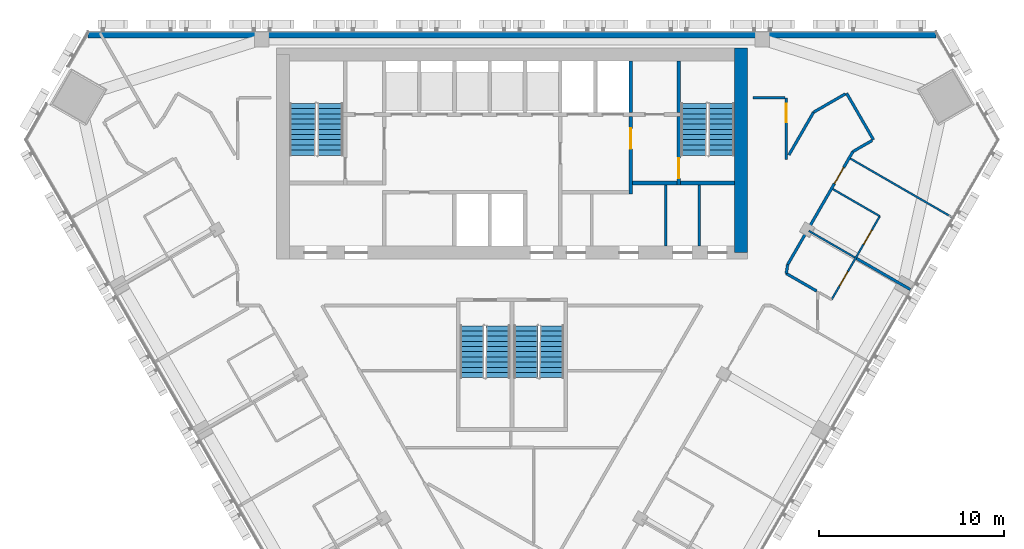
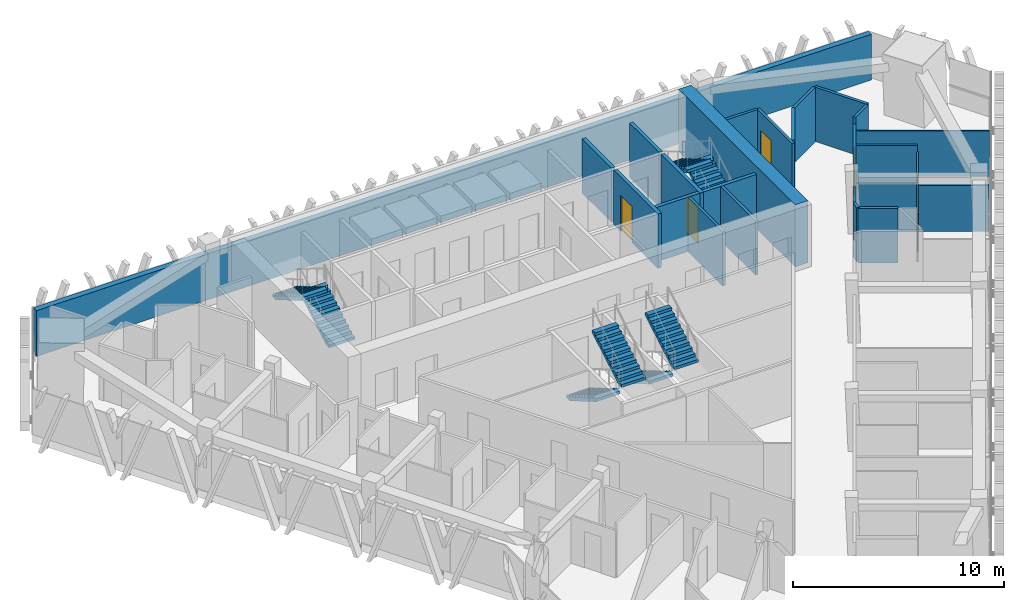
# One storey, part 12 of 16: 24 walls, 8 stair flights, 6 doors, 6 openings, 4 elements without a shape of their own.
"""IFC4 building model written with IfcOpenShell, lengths in metres."""

from ifc_helpers import new_model, si_unit, direction, frame, frame_2d, origin, place, context, subcontext, project, spatial, polyline, rectangle, outline, extrude, material, layer, layer_set, type_object, element, fill, aggregate, save


model = new_model("IFC4")

# Units and contexts
model_context = context("Model", 3, precision=1e-05, world=origin(), true_north=direction((0.0, 1.0)))
body_context = subcontext(model_context, "Body", "Model", "MODEL_VIEW")
ifc_project = project(units=[si_unit("LENGTHUNIT", "METRE"), si_unit("AREAUNIT", "SQUARE_METRE"), si_unit("VOLUMEUNIT", "CUBIC_METRE"), si_unit("PLANEANGLEUNIT", "RADIAN"), si_unit("MASSUNIT", "GRAM", prefix="KILO")], contexts=[model_context])

# Site, building, storey
site_placement = place(None, origin())
site = spatial("IfcSite", under=ifc_project, at=site_placement, CompositionType="ELEMENT")
building_placement = place(site_placement, origin())
building = spatial("IfcBuilding", under=site, at=building_placement, Name="Altiplano Prism Tower", CompositionType="ELEMENT")
storey_placement = place(building_placement, frame((0.0, 0.0, 178.199951171875)))
storey = spatial("IfcBuildingStorey", under=building, at=storey_placement, Name="L46", CompositionType="ELEMENT", Elevation=178.199951171875)

# Walls
ifc_material_1 = material(Name="Concrete C60/75", Category="concrete")
ifc_layer_1 = layer(ifc_material_1, 0.699951171875)
ifc_layer_set_1 = layer_set([ifc_layer_1], Name="Concrete C60/75")
wall_type_1 = type_object("IfcWallType", Name="Core wall 700", PredefinedType="SHEAR", material=ifc_layer_set_1)
wall_1_placement = place(storey_placement, frame((97.35009765625, 93.050048828125, 0.0), z_axis=(0.0, 0.0, 1.0), x_axis=(0.0, 1.0, 0.0)))
element("IfcWall", 1, at=wall_1_placement, inside=storey, type_object=wall_type_1, Name="Core wall E L46", PredefinedType="SHEAR", context=body_context, shape_type="SweptSolid", body=[
    extrude(rectangle(XDim=11.050048828125, YDim=0.699951171875, at=frame_2d((5.52490234375, 0.0))), origin(), (0.0, 0.0, 1.0), 3.60009765625),
])
ifc_material_2 = material(Name="Plasterboard on steel stud", Category="steel")
ifc_layer_2 = layer(ifc_material_2, 0.10009765625)
ifc_layer_set_2 = layer_set([ifc_layer_2], Name="Plasterboard on steel stud")
wall_type_2 = type_object("IfcWallType", Name="Partition 100 unit", PredefinedType="PARTITIONING", material=ifc_layer_set_2)
wall_2_placement = place(storey_placement, frame((102.312744140625, 96.474365234375, 0.0), z_axis=(0.0, 0.0, 1.0), x_axis=(0.866046596414, -0.499963291492, 0.0)))
element("IfcWall", 2, at=wall_2_placement, inside=storey, type_object=wall_type_2, Name="Partition P02 L46 086", PredefinedType="PARTITIONING", context=body_context, shape_type="SweptSolid", body=[
    extrude(rectangle(XDim=2.925048828125, YDim=0.10009765625, at=frame_2d((1.46240234375, 0.0))), origin(), (0.0, 0.0, 1.0), 3.150146484375),
])

# Wall, openings, doors
wall_3_placement = place(storey_placement, frame((104.845947265625, 95.011962890625, 0.0), z_axis=(0.0, 0.0, 1.0), x_axis=(-0.500006934395, -0.866021400173, 0.0)))
wall_3 = element("IfcWall", 3, at=wall_3_placement, inside=storey, type_object=wall_type_2, Name="Partition P02 L46 087", PredefinedType="PARTITIONING", context=body_context, shape_type="SweptSolid", body=[
    extrude(rectangle(XDim=5.2001953125, YDim=0.10009765625, at=frame_2d((2.60009765625, 0.0))), origin(), (0.0, 0.0, 1.0), 2.75),
])
opening_1_placement = place(wall_3_placement, frame((3.444091796875, 0.0, 0.0)))
opening_1 = element("IfcOpeningElement", 4, at=opening_1_placement, cuts=wall_3, Name="Opening D1642", PredefinedType="OPENING", context=body_context, shape_type="SweptSolid", body=[
    extrude(rectangle(XDim=0.89990234375, YDim=2.10009765625, at=frame_2d((0.449951171875, 1.050048828125))), frame((0.0, 0.060546875, 0.0), z_axis=(0.0, -1.0, 0.0), x_axis=(1.0, 0.0, 0.0)), (0.0, 0.0, 1.0), 0.12109375),
])
opening_2_placement = place(wall_3_placement, frame((0.85009765625, 0.0, 0.0)))
opening_2 = element("IfcOpeningElement", 5, at=opening_2_placement, cuts=wall_3, Name="Opening D1644", PredefinedType="OPENING", context=body_context, shape_type="SweptSolid", body=[
    extrude(rectangle(XDim=0.89990234375, YDim=2.10009765625, at=frame_2d((0.449951171875, 1.050048828125))), frame((0.0, 0.060546875, 0.0), z_axis=(0.0, -1.0, 0.0), x_axis=(1.0, 0.0, 0.0)), (0.0, 0.0, 1.0), 0.12109375),
])
ifc_material_3 = material(Name="Timber", Category="wood")
door_type_1 = type_object("IfcDoorType", Name="Ensuite door 900 x 2100", OperationType="NOTDEFINED", PredefinedType="NOTDEFINED", material=ifc_material_3)
door_1_placement = place(opening_1_placement, origin())
door_1 = element("IfcDoor", 6, at=door_1_placement, inside=storey, type_object=door_type_1, Name="Door D1642", OperationType="SINGLE_SWING_LEFT", OverallHeight=2.10009765625, OverallWidth=0.89990234375, PredefinedType="NOTDEFINED", context=body_context, shape_type="SweptSolid", body=[
    extrude(rectangle(XDim=0.89990234375, YDim=2.10009765625, at=frame_2d((0.449951171875, 1.050048828125))), frame((0.0, 0.02490234375, 0.0), z_axis=(0.0, -1.0, 0.0), x_axis=(1.0, 0.0, 0.0)), (0.0, 0.0, 1.0), 0.050048828125),
])
fill(opening_1, door_1)
door_2_placement = place(opening_2_placement, origin())
door_2 = element("IfcDoor", 7, at=door_2_placement, inside=storey, type_object=door_type_1, Name="Door D1644", OperationType="SINGLE_SWING_LEFT", OverallHeight=2.10009765625, OverallWidth=0.89990234375, PredefinedType="NOTDEFINED", context=body_context, shape_type="SweptSolid", body=[
    extrude(rectangle(XDim=0.89990234375, YDim=2.10009765625, at=frame_2d((0.449951171875, 1.050048828125))), frame((0.0, 0.02490234375, 0.0), z_axis=(0.0, -1.0, 0.0), x_axis=(1.0, 0.0, 0.0)), (0.0, 0.0, 1.0), 0.050048828125),
])
fill(opening_2, door_2)

# Walls
ifc_layer_3 = layer(ifc_material_2, 0.10009765625)
ifc_layer_set_3 = layer_set([ifc_layer_3], Name="Plasterboard on steel stud")
wall_type_3 = type_object("IfcWallType", Name="Partition 100 wet", PredefinedType="PARTITIONING", material=ifc_layer_set_3)
wall_4_placement = place(storey_placement, frame((103.502685546875, 92.785400390625, 0.0), z_axis=(0.0, 0.0, 1.0), x_axis=(-0.866076708598, 0.499911126926, 0.0)))
element("IfcWall", 8, at=wall_4_placement, inside=storey, type_object=wall_type_3, Name="Partition P03 L46 085", PredefinedType="PARTITIONING", context=body_context, shape_type="SweptSolid", body=[
    extrude(rectangle(XDim=2.875, YDim=0.10009765625, at=frame_2d((1.4375, 0.0))), origin(), (0.0, 0.0, 1.0), 2.75),
])
wall_5_placement = place(storey_placement, frame((108.7578125, 94.947265625, 0.0), z_axis=(0.0, 0.0, 1.0), x_axis=(-0.866025401434, 0.500000004071, 0.0)))
element("IfcWall", 9, at=wall_5_placement, inside=storey, type_object=wall_type_3, Name="Partition P03 L46 088", PredefinedType="PARTITIONING", context=body_context, shape_type="SweptSolid", body=[
    extrude(rectangle(XDim=6.34521484375, YDim=0.10009765625, at=frame_2d((3.172607421875, 0.0))), origin(), (0.0, 0.0, 1.0), 2.650146484375),
])
ifc_layer_4 = layer(ifc_material_2, 0.14990234375)
ifc_layer_set_4 = layer_set([ifc_layer_4], Name="Plasterboard on steel stud")
wall_type_4 = type_object("IfcWallType", Name="Partition 150 corridor", PredefinedType="PARTITIONING", material=ifc_layer_set_4)
wall_6_placement = place(storey_placement, frame((101.44384765625, 90.9716796875, 0.0), z_axis=(0.0, 0.0, 1.0), x_axis=(-0.866042076863, 0.499971120268, 0.0)))
element("IfcWall", 10, at=wall_6_placement, inside=storey, type_object=wall_type_4, Name="Partition P06 L46 016", PredefinedType="PARTITIONING", context=body_context, shape_type="SweptSolid", body=[
    extrude(rectangle(XDim=1.89794921875, YDim=0.14990234375, at=frame_2d((0.948974609375, 0.0))), origin(), (0.0, 0.0, 1.0), 3.150146484375),
])
wall_7_placement = place(storey_placement, frame((99.800048828125, 91.920654296875, 0.0), z_axis=(0.0, 0.0, 1.0), x_axis=(0.152057184254, 0.988371697651, 0.0)))
element("IfcWall", 11, at=wall_7_placement, inside=storey, type_object=wall_type_4, Name="Partition P06 L46 017", PredefinedType="PARTITIONING", context=body_context, shape_type="SweptSolid", body=[
    extrude(rectangle(XDim=0.48486328125, YDim=0.14990234375, at=frame_2d((0.242431640625, 0.0))), origin(), (0.0, 0.0, 1.0), 3.150146484375),
])

# Wall, opening, door
wall_8_placement = place(storey_placement, frame((99.873779296875, 92.39990234375, 0.0), z_axis=(0.0, 0.0, 1.0), x_axis=(0.499982483372, 0.866035516778, 0.0)))
wall_8 = element("IfcWall", 12, at=wall_8_placement, inside=storey, type_object=wall_type_4, Name="Partition P06 L46 018", PredefinedType="PARTITIONING", context=body_context, shape_type="SweptSolid", body=[
    extrude(rectangle(XDim=7.043701171875, YDim=0.14990234375, at=frame_2d((3.52197265625, 0.0))), origin(), (0.0, 0.0, 1.0), 2.75),
])
opening_3_placement = place(wall_8_placement, frame((5.0439453125, 0.0, 0.0)))
opening_3 = element("IfcOpeningElement", 13, at=opening_3_placement, cuts=wall_8, Name="Opening D1643", PredefinedType="OPENING", context=body_context, shape_type="SweptSolid", body=[
    extrude(rectangle(XDim=1.0, YDim=2.10009765625, at=frame_2d((0.5, 1.050048828125))), frame((0.0, 0.08544921875, 0.0), z_axis=(0.0, -1.0, 0.0), x_axis=(1.0, 0.0, 0.0)), (0.0, 0.0, 1.0), 0.1708984375),
])
door_type_2 = type_object("IfcDoorType", Name="Bedroom entrance door 1000 x 2100", OperationType="NOTDEFINED", PredefinedType="NOTDEFINED", material=ifc_material_3)
door_3_placement = place(opening_3_placement, origin())
door_3 = element("IfcDoor", 14, at=door_3_placement, inside=storey, type_object=door_type_2, Name="Door D1643", OperationType="SINGLE_SWING_LEFT", OverallHeight=2.10009765625, OverallWidth=1.0, PredefinedType="NOTDEFINED", context=body_context, shape_type="SweptSolid", body=[
    extrude(rectangle(XDim=1.0, YDim=2.10009765625, at=frame_2d((0.5, 1.050048828125))), frame((0.0, 0.02490234375, 0.0), z_axis=(0.0, -1.0, 0.0), x_axis=(1.0, 0.0, 0.0)), (0.0, 0.0, 1.0), 0.050048828125),
])
fill(opening_3, door_3)

# Walls
wall_9_placement = place(storey_placement, frame((103.3955078125, 98.5, 0.0), z_axis=(0.0, 0.0, 1.0), x_axis=(0.86605048973, 0.49995654735, 0.0)))
element("IfcWall", 15, at=wall_9_placement, inside=storey, type_object=wall_type_4, Name="Partition P06 L46 019", PredefinedType="PARTITIONING", context=body_context, shape_type="SweptSolid", body=[
    extrude(rectangle(XDim=1.20361328125, YDim=0.14990234375, at=frame_2d((0.601806640625, 0.0))), origin(), (0.0, 0.0, 1.0), 3.150146484375),
])
wall_10_placement = place(storey_placement, frame((104.5029296875, 99.139404296875, 0.0), z_axis=(0.0, 0.0, 1.0), x_axis=(-0.499987231761, 0.866032775405, 0.0)))
element("IfcWall", 16, at=wall_10_placement, inside=storey, type_object=wall_type_4, Name="Partition P06 L46 020", PredefinedType="PARTITIONING", context=body_context, shape_type="SweptSolid", body=[
    extrude(rectangle(XDim=2.89990234375, YDim=0.14990234375, at=frame_2d((1.449951171875, 0.0))), origin(), (0.0, 0.0, 1.0), 3.150146484375),
])
wall_11_placement = place(storey_placement, frame((102.988037109375, 101.61328125, 0.0), z_axis=(0.0, 0.0, 1.0), x_axis=(-0.866050114754, -0.499957196903, 0.0)))
element("IfcWall", 17, at=wall_11_placement, inside=storey, type_object=wall_type_4, Name="Partition P06 L46 021", PredefinedType="PARTITIONING", context=body_context, shape_type="SweptSolid", body=[
    extrude(rectangle(XDim=1.980712890625, YDim=0.14990234375, at=frame_2d((0.990234375, 0.0))), origin(), (0.0, 0.0, 1.0), 3.150146484375),
])
wall_12_placement = place(storey_placement, frame((101.272705078125, 100.623046875, 0.0), z_axis=(0.0, 0.0, 1.0), x_axis=(-0.500010524421, -0.866019327422, 0.0)))
element("IfcWall", 18, at=wall_12_placement, inside=storey, type_object=wall_type_4, Name="Partition P06 L46 022", PredefinedType="PARTITIONING", context=body_context, shape_type="SweptSolid", body=[
    extrude(rectangle(XDim=2.66552734375, YDim=0.14990234375, at=frame_2d((1.332763671875, 0.0))), origin(), (0.0, 0.0, 1.0), 3.150146484375),
])

# Wall, opening, door
wall_13_placement = place(storey_placement, frame((99.800048828125, 98.072265625, 0.0), z_axis=(0.0, 0.0, 1.0), x_axis=(0.0, 1.0, 0.0)))
wall_13 = element("IfcWall", 19, at=wall_13_placement, inside=storey, type_object=wall_type_4, Name="Partition P06 L46 023", PredefinedType="PARTITIONING", context=body_context, shape_type="SweptSolid", body=[
    extrude(rectangle(XDim=3.32763671875, YDim=0.14990234375, at=frame_2d((1.663818359375, 0.0))), origin(), (0.0, 0.0, 1.0), 3.150146484375),
])
opening_4_placement = place(wall_13_placement, frame((2.007080078125, 0.0, 0.0)))
opening_4 = element("IfcOpeningElement", 20, at=opening_4_placement, cuts=wall_13, Name="Opening D1645", PredefinedType="OPENING", context=body_context, shape_type="SweptSolid", body=[
    extrude(rectangle(XDim=1.0, YDim=2.10009765625, at=frame_2d((0.5, 1.050048828125))), frame((0.0, 0.08544921875, 0.0), z_axis=(0.0, -1.0, 0.0), x_axis=(1.0, 0.0, 0.0)), (0.0, 0.0, 1.0), 0.1708984375),
])
door_type_3 = type_object("IfcDoorType", Name="Room door 1000 x 2100", OperationType="NOTDEFINED", PredefinedType="NOTDEFINED", material=ifc_material_3)
door_4_placement = place(opening_4_placement, origin())
door_4 = element("IfcDoor", 21, at=door_4_placement, inside=storey, type_object=door_type_3, Name="Door D1645", OperationType="SINGLE_SWING_RIGHT", OverallHeight=2.10009765625, OverallWidth=1.0, PredefinedType="NOTDEFINED", context=body_context, shape_type="SweptSolid", body=[
    extrude(rectangle(XDim=1.0, YDim=2.10009765625, at=frame_2d((0.5, 1.050048828125))), frame((0.0, 0.02490234375, 0.0), z_axis=(0.0, -1.0, 0.0), x_axis=(1.0, 0.0, 0.0)), (0.0, 0.0, 1.0), 0.050048828125),
])
fill(opening_4, door_4)

# Walls
wall_14_placement = place(storey_placement, frame((99.72509765625, 101.39990234375, 0.0), z_axis=(0.0, 0.0, 1.0), x_axis=(-1.0, 0.0, 0.0)))
element("IfcWall", 22, at=wall_14_placement, inside=storey, type_object=wall_type_4, Name="Partition P06 L46 024", PredefinedType="PARTITIONING", context=body_context, shape_type="SweptSolid", body=[
    extrude(rectangle(XDim=1.72509765625, YDim=0.14990234375, at=frame_2d((0.862548828125, 0.0))), origin(), (0.0, 0.0, 1.0), 3.150146484375),
])
ifc_layer_5 = layer(ifc_material_2, 0.14990234375)
ifc_layer_set_5 = layer_set([ifc_layer_5], Name="Plasterboard on steel stud")
wall_type_5 = type_object("IfcWallType", Name="Partition 150 party", PredefinedType="PARTITIONING", material=ifc_layer_set_5)
wall_15_placement = place(storey_placement, frame((106.490478515625, 91.060302734375, 0.0), z_axis=(0.0, 0.0, 1.0), x_axis=(-0.866032680314, 0.499987396469, 0.0)))
element("IfcWall", 23, at=wall_15_placement, inside=storey, type_object=wall_type_5, Name="Partition P01 L46 084", PredefinedType="PARTITIONING", context=body_context, shape_type="SweptSolid", body=[
    extrude(rectangle(XDim=3.35009765625, YDim=0.14990234375, at=frame_2d((1.675048828125, 0.0))), origin(), (0.0, 0.0, 1.0), 2.650146484375),
])
ifc_material_4 = material(Name="Fire-rated gypsum board partition")
ifc_layer_6 = layer(ifc_material_4, 0.14990234375)
ifc_layer_set_6 = layer_set([ifc_layer_6], Name="Fire-rated gypsum board partition")
wall_type_6 = type_object("IfcWallType", Name="Room partition 150", PredefinedType="PARTITIONING", material=ifc_layer_set_6)
for number, where, z_axis, x_axis, name in (
    (24, (93.300048828125, 93.39990234375, 0.0), (0.0, 0.0, 1.0), (0.0, 1.0, 0.0), "Room partition L46"),
    (25, (95.10009765625, 93.39990234375, 0.0), (0.0, 0.0, 1.0), (0.0, 1.0, 0.0), "Room partition L46"),
):
    element("IfcWall", number, at=place(storey_placement, frame(where, z_axis=z_axis, x_axis=x_axis)), inside=storey, type_object=wall_type_6, Name=name, PredefinedType="PARTITIONING", context=body_context, shape_type="SweptSolid", body=[
        extrude(rectangle(XDim=3.300048828125, YDim=0.14990234375, at=frame_2d((1.64990234375, 0.0))), origin(), (0.0, 0.0, 1.0), 3.150146484375),
    ])
ifc_layer_7 = layer(ifc_material_1, 0.199951171875)
ifc_layer_set_7 = layer_set([ifc_layer_7], Name="Concrete C60/75")
wall_type_7 = type_object("IfcWallType", Name="Shaft wall 200", PredefinedType="SOLIDWALL", material=ifc_layer_set_7)
wall_16_placement = place(storey_placement, frame((91.39990234375, 100.60009765625, 0.0), z_axis=(0.0, 0.0, 1.0), x_axis=(0.0, 1.0, 0.0)))
element("IfcWall", 26, at=wall_16_placement, inside=storey, type_object=wall_type_7, Name="Shaft wall L46", PredefinedType="SOLIDWALL", context=body_context, shape_type="SweptSolid", body=[
    extrude(rectangle(XDim=2.7998046875, YDim=0.199951171875, at=frame_2d((1.39990234375, 0.0))), origin(), (0.0, 0.0, 1.0), 3.150146484375),
])

# Wall, opening, door
ifc_layer_8 = layer(ifc_material_1, 0.199951171875)
ifc_layer_set_8 = layer_set([ifc_layer_8], Name="Concrete C60/75")
wall_type_8 = type_object("IfcWallType", Name="Stair wall 200", PredefinedType="SOLIDWALL", material=ifc_layer_set_8)
wall_17_placement = place(storey_placement, frame((94.0, 96.699951171875, 0.0), z_axis=(0.0, 0.0, 1.0), x_axis=(0.0, 1.0, 0.0)))
wall_17 = element("IfcWall", 27, at=wall_17_placement, inside=storey, type_object=wall_type_8, Name="Stair wall L46", PredefinedType="SOLIDWALL", context=body_context, shape_type="SweptSolid", body=[
    extrude(rectangle(XDim=3.699951171875, YDim=0.199951171875, at=frame_2d((1.85009765625, 0.0))), origin(), (0.0, 0.0, 1.0), 3.150146484375),
])
opening_5_placement = place(wall_17_placement, frame((0.35009765625, 0.0, 0.0)))
opening_5 = element("IfcOpeningElement", 28, at=opening_5_placement, cuts=wall_17, Name="Opening D3212", PredefinedType="OPENING", context=body_context, shape_type="SweptSolid", body=[
    extrude(rectangle(XDim=1.10009765625, YDim=2.10009765625, at=frame_2d((0.550048828125, 1.050048828125))), frame((0.0, 0.1103515625, 0.0), z_axis=(0.0, -1.0, 0.0), x_axis=(1.0, 0.0, 0.0)), (0.0, 0.0, 1.0), 0.220947265625),
])
ifc_material_5 = material(Name="Fire-rated steel door", Category="steel")
door_type_4 = type_object("IfcDoorType", Name="Stair fire door 1100 x 2100", OperationType="NOTDEFINED", PredefinedType="NOTDEFINED", material=ifc_material_5)
door_5_placement = place(opening_5_placement, origin())
door_5 = element("IfcDoor", 29, at=door_5_placement, inside=storey, type_object=door_type_4, Name="Stair fire door D3212", OperationType="SINGLE_SWING_LEFT", OverallHeight=2.10009765625, OverallWidth=1.10009765625, PredefinedType="NOTDEFINED", context=body_context, shape_type="SweptSolid", body=[
    extrude(rectangle(XDim=1.10009765625, YDim=2.10009765625, at=frame_2d((0.550048828125, 1.050048828125))), frame((0.0, 0.02490234375, 0.0), z_axis=(0.0, -1.0, 0.0), x_axis=(1.0, 0.0, 0.0)), (0.0, 0.0, 1.0), 0.050048828125),
])
fill(opening_5, door_5)

# Walls
wall_18_placement = place(storey_placement, frame((94.10009765625, 96.800048828125, 0.0), z_axis=(0.0, 0.0, 1.0), x_axis=(1.0, 0.0, 0.0)))
element("IfcWall", 30, at=wall_18_placement, inside=storey, type_object=wall_type_8, Name="Stair wall L46", PredefinedType="SOLIDWALL", context=body_context, shape_type="SweptSolid", body=[
    extrude(rectangle(XDim=2.89990234375, YDim=0.199951171875, at=frame_2d((1.449951171875, 0.0))), origin(), (0.0, 0.0, 1.0), 3.150146484375),
])
wall_19_placement = place(storey_placement, frame((94.0, 100.60009765625, 0.0), z_axis=(0.0, 0.0, 1.0), x_axis=(0.0, 1.0, 0.0)))
element("IfcWall", 31, at=wall_19_placement, inside=storey, type_object=wall_type_8, Name="Stair wall L46", PredefinedType="SOLIDWALL", context=body_context, shape_type="SweptSolid", body=[
    extrude(rectangle(XDim=2.7998046875, YDim=0.199951171875, at=frame_2d((1.39990234375, 0.0))), origin(), (0.0, 0.0, 1.0), 3.150146484375),
])
ifc_material_6 = material(Name="Concrete C40", Category="concrete")
ifc_layer_9 = layer(ifc_material_6, 0.300048828125)
ifc_layer_set_9 = layer_set([ifc_layer_9], Name="Concrete C40")
wall_type_9 = type_object("IfcWallType", Name="Stone-clad external wall 300", PredefinedType="SOLIDWALL", material=ifc_layer_set_9)
wall_20_placement = place(storey_placement, frame((62.11328125, 104.7900390625, 0.0), z_axis=(0.0, 0.0, 1.0), x_axis=(1.0, 0.0, 0.0)))
element("IfcWall", 32, at=wall_20_placement, inside=storey, type_object=wall_type_9, Name="External wall north face L46", PredefinedType="SOLIDWALL", context=body_context, shape_type="SweptSolid", body=[
    extrude(rectangle(XDim=45.7734375, YDim=0.300048828125, at=frame_2d((22.88671875, 0.0))), origin(), (0.0, 0.0, 1.0), 2.650146484375),
])

# Wall, opening, door
ifc_layer_10 = layer(ifc_material_1, 0.199951171875)
ifc_layer_set_10 = layer_set([ifc_layer_10], Name="Concrete C60/75")
wall_type_10 = type_object("IfcWallType", Name="Vestibule wall 200", PredefinedType="PARTITIONING", material=ifc_layer_set_10)
wall_21_placement = place(storey_placement, frame((91.39990234375, 96.199951171875, 0.0), z_axis=(0.0, 0.0, 1.0), x_axis=(0.0, 1.0, 0.0)))
wall_21 = element("IfcWall", 33, at=wall_21_placement, inside=storey, type_object=wall_type_10, Name="Vestibule wall L46", PredefinedType="PARTITIONING", context=body_context, shape_type="SweptSolid", body=[
    extrude(rectangle(XDim=4.199951171875, YDim=0.199951171875, at=frame_2d((2.10009765625, 0.0))), origin(), (0.0, 0.0, 1.0), 3.150146484375),
])
opening_6_placement = place(wall_21_placement, frame((2.449951171875, 0.0, 0.0)))
opening_6 = element("IfcOpeningElement", 34, at=opening_6_placement, cuts=wall_21, Name="Opening D3215", PredefinedType="OPENING", context=body_context, shape_type="SweptSolid", body=[
    extrude(rectangle(XDim=1.10009765625, YDim=2.10009765625, at=frame_2d((0.550048828125, 1.050048828125))), frame((0.0, 0.1103515625, 0.0), z_axis=(0.0, -1.0, 0.0), x_axis=(1.0, 0.0, 0.0)), (0.0, 0.0, 1.0), 0.220947265625),
])
door_type_5 = type_object("IfcDoorType", Name="Vestibule fire door 1100 x 2100", OperationType="NOTDEFINED", PredefinedType="NOTDEFINED", material=ifc_material_5)
door_6_placement = place(opening_6_placement, origin())
door_6 = element("IfcDoor", 35, at=door_6_placement, inside=storey, type_object=door_type_5, Name="Vestibule fire door D3215", OperationType="SINGLE_SWING_LEFT", OverallHeight=2.10009765625, OverallWidth=1.10009765625, PredefinedType="NOTDEFINED", context=body_context, shape_type="SweptSolid", body=[
    extrude(rectangle(XDim=1.10009765625, YDim=2.10009765625, at=frame_2d((0.550048828125, 1.050048828125))), frame((0.0, 0.02490234375, 0.0), z_axis=(0.0, -1.0, 0.0), x_axis=(1.0, 0.0, 0.0)), (0.0, 0.0, 1.0), 0.050048828125),
])
fill(opening_6, door_6)

# Wall
wall_22_placement = place(storey_placement, frame((91.5, 96.800048828125, 0.0), z_axis=(0.0, 0.0, 1.0), x_axis=(1.0, 0.0, 0.0)))
element("IfcWall", 36, at=wall_22_placement, inside=storey, type_object=wall_type_10, Name="Vestibule wall L46", PredefinedType="PARTITIONING", context=body_context, shape_type="SweptSolid", body=[
    extrude(rectangle(XDim=2.39990234375, YDim=0.199951171875, at=frame_2d((1.199951171875, 0.0))), origin(), (0.0, 0.0, 1.0), 3.150146484375),
])

# Stair, stair flights
ifc_material_7 = material(Name="Concrete C40/50", Category="concrete")
stair_type_1 = type_object("IfcStairType", Name="Exit stair 1400", PredefinedType="HALF_TURN_STAIR", material=ifc_material_7)
stair_1_placement = place(storey_placement, origin())
stair_1 = element("IfcStair", 37, at=stair_1_placement, inside=storey, type_object=stair_type_1, Name="L46 Exit Stair 1", PredefinedType="HALF_TURN_STAIR")
stair_flight_type = type_object("IfcStairFlightType", Name="Stair flight concrete 150", PredefinedType="STRAIGHT", material=ifc_material_7)
stair_flight_1_placement = place(storey_placement, frame((75.199951171875, 98.300048828125, 0.0), z_axis=(0.0, 0.0, 1.0), x_axis=(0.0, 1.0, 0.0)))
stair_flight_1 = element("IfcStairFlight", 38, at=stair_flight_1_placement, type_object=stair_flight_type, Name="ST1 flight 1", NumberOfRisers=11, NumberOfTreads=10, PredefinedType="STRAIGHT", RiserHeight=0.163636364, TreadLength=0.28, context=body_context, shape_type="SweptSolid", body=[
    extrude(outline(polyline([(0.0, 0.0), (0.0, 0.16357421875), (0.280029296875, 0.16357421875), (0.280029296875, 0.327392578125), (0.56005859375, 0.327392578125), (0.56005859375, 0.490966796875), (0.840087890625, 0.490966796875), (0.840087890625, 0.654541015625), (1.1201171875, 0.654541015625), (1.1201171875, 0.818115234375), (1.39990234375, 0.818115234375), (1.39990234375, 0.98193359375), (1.679931640625, 0.98193359375), (1.679931640625, 1.1455078125), (1.9599609375, 1.1455078125), (1.9599609375, 1.30908203125), (2.239990234375, 1.30908203125), (2.239990234375, 1.47265625), (2.52001953125, 1.47265625), (2.52001953125, 1.636474609375), (2.800048828125, 1.636474609375), (2.800048828125, 1.800048828125), (2.800048828125, 1.462646484375), (0.297119140625, 0.0), (0.0, 0.0)])), frame((0.0, 0.699951171875, 0.0), z_axis=(0.0, -1.0, 0.0), x_axis=(1.0, 0.0, 0.0)), (0.0, 0.0, 1.0), 1.39990234375),
])
stair_flight_2_placement = place(storey_placement, frame((73.699951171875, 101.10009765625, 1.800048828125), z_axis=(0.0, 0.0, 1.0), x_axis=(0.0, -1.0, 0.0)))
stair_flight_2 = element("IfcStairFlight", 39, at=stair_flight_2_placement, type_object=stair_flight_type, Name="ST1 flight 2", NumberOfRisers=11, NumberOfTreads=10, PredefinedType="STRAIGHT", RiserHeight=0.163636364, TreadLength=0.28, context=body_context, shape_type="SweptSolid", body=[
    extrude(outline(polyline([(0.0, 0.0), (0.0, 0.16357421875), (0.280029296875, 0.16357421875), (0.280029296875, 0.327392578125), (0.56005859375, 0.327392578125), (0.56005859375, 0.490966796875), (0.840087890625, 0.490966796875), (0.840087890625, 0.654541015625), (1.1201171875, 0.654541015625), (1.1201171875, 0.818115234375), (1.39990234375, 0.818115234375), (1.39990234375, 0.98193359375), (1.679931640625, 0.98193359375), (1.679931640625, 1.1455078125), (1.9599609375, 1.1455078125), (1.9599609375, 1.30908203125), (2.239990234375, 1.30908203125), (2.239990234375, 1.47265625), (2.52001953125, 1.47265625), (2.52001953125, 1.636474609375), (2.800048828125, 1.636474609375), (2.800048828125, 1.800048828125), (2.800048828125, 1.462646484375), (0.297119140625, 0.0), (0.0, 0.0)])), frame((0.0, 0.699951171875, 0.0), z_axis=(0.0, -1.0, 0.0), x_axis=(1.0, 0.0, 0.0)), (0.0, 0.0, 1.0), 1.39990234375),
])
aggregate(stair_1, [stair_flight_1, stair_flight_2])

stair_2_placement = place(storey_placement, origin())
stair_2 = element("IfcStair", 40, at=stair_2_placement, inside=storey, type_object=stair_type_1, Name="L46 Exit Stair 2", PredefinedType="HALF_TURN_STAIR")
stair_flight_3_placement = place(storey_placement, frame((96.300048828125, 98.300048828125, 0.0), z_axis=(0.0, 0.0, 1.0), x_axis=(0.0, 1.0, 0.0)))
stair_flight_3 = element("IfcStairFlight", 41, at=stair_flight_3_placement, type_object=stair_flight_type, Name="ST2 flight 1", NumberOfRisers=11, NumberOfTreads=10, PredefinedType="STRAIGHT", RiserHeight=0.163636364, TreadLength=0.28, context=body_context, shape_type="SweptSolid", body=[
    extrude(outline(polyline([(0.0, 0.0), (0.0, 0.16357421875), (0.280029296875, 0.16357421875), (0.280029296875, 0.327392578125), (0.56005859375, 0.327392578125), (0.56005859375, 0.490966796875), (0.840087890625, 0.490966796875), (0.840087890625, 0.654541015625), (1.1201171875, 0.654541015625), (1.1201171875, 0.818115234375), (1.39990234375, 0.818115234375), (1.39990234375, 0.98193359375), (1.679931640625, 0.98193359375), (1.679931640625, 1.1455078125), (1.9599609375, 1.1455078125), (1.9599609375, 1.30908203125), (2.239990234375, 1.30908203125), (2.239990234375, 1.47265625), (2.52001953125, 1.47265625), (2.52001953125, 1.636474609375), (2.800048828125, 1.636474609375), (2.800048828125, 1.800048828125), (2.800048828125, 1.462646484375), (0.297119140625, 0.0), (0.0, 0.0)])), frame((0.0, 0.699951171875, 0.0), z_axis=(0.0, -1.0, 0.0), x_axis=(1.0, 0.0, 0.0)), (0.0, 0.0, 1.0), 1.39990234375),
])
stair_flight_4_placement = place(storey_placement, frame((94.800048828125, 101.10009765625, 1.800048828125), z_axis=(0.0, 0.0, 1.0), x_axis=(0.0, -1.0, 0.0)))
stair_flight_4 = element("IfcStairFlight", 42, at=stair_flight_4_placement, type_object=stair_flight_type, Name="ST2 flight 2", NumberOfRisers=11, NumberOfTreads=10, PredefinedType="STRAIGHT", RiserHeight=0.163636364, TreadLength=0.28, context=body_context, shape_type="SweptSolid", body=[
    extrude(outline(polyline([(0.0, 0.0), (0.0, 0.16357421875), (0.280029296875, 0.16357421875), (0.280029296875, 0.327392578125), (0.56005859375, 0.327392578125), (0.56005859375, 0.490966796875), (0.840087890625, 0.490966796875), (0.840087890625, 0.654541015625), (1.1201171875, 0.654541015625), (1.1201171875, 0.818115234375), (1.39990234375, 0.818115234375), (1.39990234375, 0.98193359375), (1.679931640625, 0.98193359375), (1.679931640625, 1.1455078125), (1.9599609375, 1.1455078125), (1.9599609375, 1.30908203125), (2.239990234375, 1.30908203125), (2.239990234375, 1.47265625), (2.52001953125, 1.47265625), (2.52001953125, 1.636474609375), (2.800048828125, 1.636474609375), (2.800048828125, 1.800048828125), (2.800048828125, 1.462646484375), (0.297119140625, 0.0), (0.0, 0.0)])), frame((0.0, 0.699951171875, 0.0), z_axis=(0.0, -1.0, 0.0), x_axis=(1.0, 0.0, 0.0)), (0.0, 0.0, 1.0), 1.39990234375),
])
aggregate(stair_2, [stair_flight_3, stair_flight_4])

stair_type_2 = type_object("IfcStairType", Name="Exit stair 1300", PredefinedType="HALF_TURN_STAIR", material=ifc_material_7)
stair_3_placement = place(storey_placement, origin())
stair_3 = element("IfcStair", 43, at=stair_3_placement, inside=storey, type_object=stair_type_2, Name="L46 Exit Stair 3A", PredefinedType="HALF_TURN_STAIR")
stair_flight_5_placement = place(storey_placement, frame((82.85009765625, 89.10009765625, 0.0), z_axis=(0.0, 0.0, 1.0), x_axis=(0.0, -1.0, 0.0)))
stair_flight_5 = element("IfcStairFlight", 44, at=stair_flight_5_placement, type_object=stair_flight_type, Name="ST3A flight 1", NumberOfRisers=11, NumberOfTreads=10, PredefinedType="STRAIGHT", RiserHeight=0.163636364, TreadLength=0.28, context=body_context, shape_type="SweptSolid", body=[
    extrude(outline(polyline([(0.0, 0.0), (0.0, 0.16357421875), (0.280029296875, 0.16357421875), (0.280029296875, 0.327392578125), (0.56005859375, 0.327392578125), (0.56005859375, 0.490966796875), (0.840087890625, 0.490966796875), (0.840087890625, 0.654541015625), (1.1201171875, 0.654541015625), (1.1201171875, 0.818115234375), (1.39990234375, 0.818115234375), (1.39990234375, 0.98193359375), (1.679931640625, 0.98193359375), (1.679931640625, 1.1455078125), (1.9599609375, 1.1455078125), (1.9599609375, 1.30908203125), (2.239990234375, 1.30908203125), (2.239990234375, 1.47265625), (2.52001953125, 1.47265625), (2.52001953125, 1.636474609375), (2.800048828125, 1.636474609375), (2.800048828125, 1.800048828125), (2.800048828125, 1.462646484375), (0.297119140625, 0.0), (0.0, 0.0)])), frame((0.0, 0.64990234375, 0.0), z_axis=(0.0, -1.0, 0.0), x_axis=(1.0, 0.0, 0.0)), (0.0, 0.0, 1.0), 1.300048828125),
])
stair_flight_6_placement = place(storey_placement, frame((84.25, 86.300048828125, 1.800048828125), z_axis=(0.0, 0.0, 1.0), x_axis=(0.0, 1.0, 0.0)))
stair_flight_6 = element("IfcStairFlight", 45, at=stair_flight_6_placement, type_object=stair_flight_type, Name="ST3A flight 2", NumberOfRisers=11, NumberOfTreads=10, PredefinedType="STRAIGHT", RiserHeight=0.163636364, TreadLength=0.28, context=body_context, shape_type="SweptSolid", body=[
    extrude(outline(polyline([(0.0, 0.0), (0.0, 0.16357421875), (0.280029296875, 0.16357421875), (0.280029296875, 0.327392578125), (0.56005859375, 0.327392578125), (0.56005859375, 0.490966796875), (0.840087890625, 0.490966796875), (0.840087890625, 0.654541015625), (1.1201171875, 0.654541015625), (1.1201171875, 0.818115234375), (1.39990234375, 0.818115234375), (1.39990234375, 0.98193359375), (1.679931640625, 0.98193359375), (1.679931640625, 1.1455078125), (1.9599609375, 1.1455078125), (1.9599609375, 1.30908203125), (2.239990234375, 1.30908203125), (2.239990234375, 1.47265625), (2.52001953125, 1.47265625), (2.52001953125, 1.636474609375), (2.800048828125, 1.636474609375), (2.800048828125, 1.800048828125), (2.800048828125, 1.462646484375), (0.297119140625, 0.0), (0.0, 0.0)])), frame((0.0, 0.64990234375, 0.0), z_axis=(0.0, -1.0, 0.0), x_axis=(1.0, 0.0, 0.0)), (0.0, 0.0, 1.0), 1.300048828125),
])
aggregate(stair_3, [stair_flight_5, stair_flight_6])

stair_4_placement = place(storey_placement, origin())
stair_4 = element("IfcStair", 46, at=stair_4_placement, inside=storey, type_object=stair_type_2, Name="L46 Exit Stair 3B", PredefinedType="HALF_TURN_STAIR")
stair_flight_7_placement = place(storey_placement, frame((85.75, 89.10009765625, 0.0), z_axis=(0.0, 0.0, 1.0), x_axis=(0.0, -1.0, 0.0)))
stair_flight_7 = element("IfcStairFlight", 47, at=stair_flight_7_placement, type_object=stair_flight_type, Name="ST3B flight 1", NumberOfRisers=11, NumberOfTreads=10, PredefinedType="STRAIGHT", RiserHeight=0.163636364, TreadLength=0.28, context=body_context, shape_type="SweptSolid", body=[
    extrude(outline(polyline([(0.0, 0.0), (0.0, 0.16357421875), (0.280029296875, 0.16357421875), (0.280029296875, 0.327392578125), (0.56005859375, 0.327392578125), (0.56005859375, 0.490966796875), (0.840087890625, 0.490966796875), (0.840087890625, 0.654541015625), (1.1201171875, 0.654541015625), (1.1201171875, 0.818115234375), (1.39990234375, 0.818115234375), (1.39990234375, 0.98193359375), (1.679931640625, 0.98193359375), (1.679931640625, 1.1455078125), (1.9599609375, 1.1455078125), (1.9599609375, 1.30908203125), (2.239990234375, 1.30908203125), (2.239990234375, 1.47265625), (2.52001953125, 1.47265625), (2.52001953125, 1.636474609375), (2.800048828125, 1.636474609375), (2.800048828125, 1.800048828125), (2.800048828125, 1.462646484375), (0.297119140625, 0.0), (0.0, 0.0)])), frame((0.0, 0.64990234375, 0.0), z_axis=(0.0, -1.0, 0.0), x_axis=(1.0, 0.0, 0.0)), (0.0, 0.0, 1.0), 1.300048828125),
])
stair_flight_8_placement = place(storey_placement, frame((87.14990234375, 86.300048828125, 1.800048828125), z_axis=(0.0, 0.0, 1.0), x_axis=(0.0, 1.0, 0.0)))
stair_flight_8 = element("IfcStairFlight", 48, at=stair_flight_8_placement, type_object=stair_flight_type, Name="ST3B flight 2", NumberOfRisers=11, NumberOfTreads=10, PredefinedType="STRAIGHT", RiserHeight=0.163636364, TreadLength=0.28, context=body_context, shape_type="SweptSolid", body=[
    extrude(outline(polyline([(0.0, 0.0), (0.0, 0.16357421875), (0.280029296875, 0.16357421875), (0.280029296875, 0.327392578125), (0.56005859375, 0.327392578125), (0.56005859375, 0.490966796875), (0.840087890625, 0.490966796875), (0.840087890625, 0.654541015625), (1.1201171875, 0.654541015625), (1.1201171875, 0.818115234375), (1.39990234375, 0.818115234375), (1.39990234375, 0.98193359375), (1.679931640625, 0.98193359375), (1.679931640625, 1.1455078125), (1.9599609375, 1.1455078125), (1.9599609375, 1.30908203125), (2.239990234375, 1.30908203125), (2.239990234375, 1.47265625), (2.52001953125, 1.47265625), (2.52001953125, 1.636474609375), (2.800048828125, 1.636474609375), (2.800048828125, 1.800048828125), (2.800048828125, 1.462646484375), (0.297119140625, 0.0), (0.0, 0.0)])), frame((0.0, 0.64990234375, 0.0), z_axis=(0.0, -1.0, 0.0), x_axis=(1.0, 0.0, 0.0)), (0.0, 0.0, 1.0), 1.300048828125),
])
aggregate(stair_4, [stair_flight_7, stair_flight_8])

save(model, "model.ifc")
